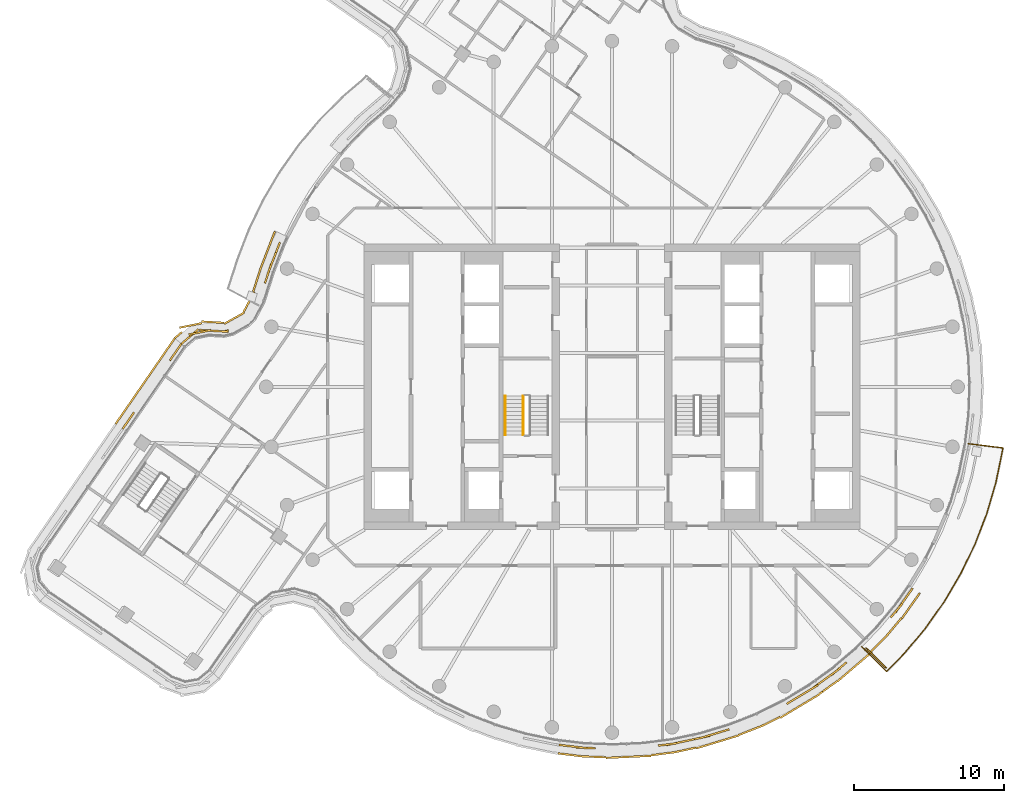
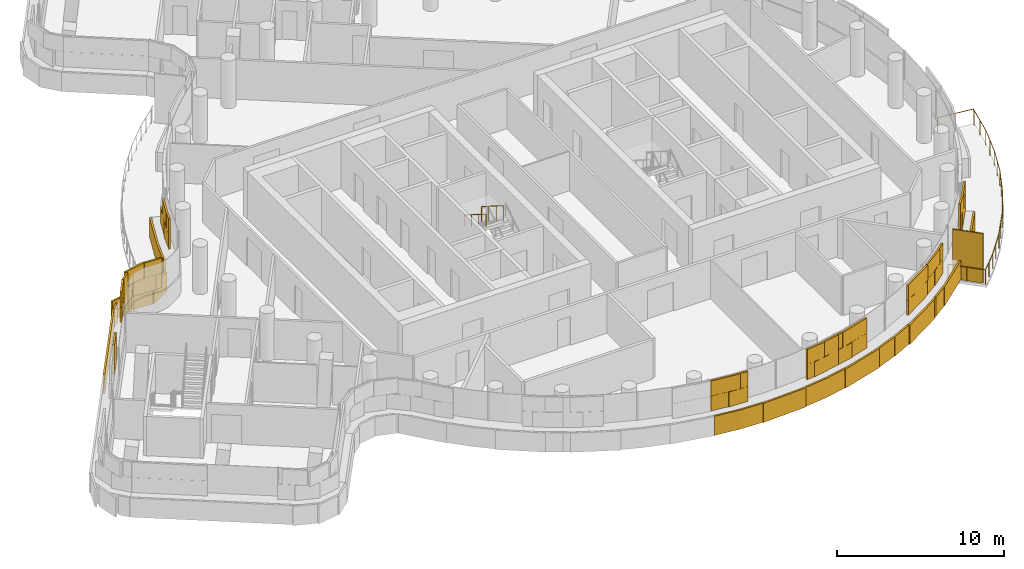
# One storey, part 22 of 26: 5 coverings, 3 railings, 1 shading device.
"""IFC4 building model written with IfcOpenShell, lengths in metres."""

from ifc_helpers import new_model, si_unit, direction, frame, origin, origin_2d, place, context, subcontext, project, spatial, rectangle, circle, extrude, material, layer, layer_set, type_object, element, save


model = new_model("IFC4")

# Units and contexts
model_context = context("Model", 3, precision=1e-05, world=origin(), true_north=direction((0.0, 1.0)))
body_context = subcontext(model_context, "Body", "Model", "MODEL_VIEW")
ifc_project = project(units=[si_unit("LENGTHUNIT", "METRE"), si_unit("AREAUNIT", "SQUARE_METRE"), si_unit("VOLUMEUNIT", "CUBIC_METRE"), si_unit("PLANEANGLEUNIT", "RADIAN"), si_unit("MASSUNIT", "GRAM", prefix="KILO")], contexts=[model_context])

# Site, building, storey
site_placement = place(None, origin())
site = spatial("IfcSite", under=ifc_project, at=site_placement, CompositionType="ELEMENT")
building_placement = place(site_placement, origin())
building = spatial("IfcBuilding", under=site, at=building_placement, Name="Tamarind Cross Interchange Tower", CompositionType="ELEMENT")
storey_placement = place(building_placement, frame((0.0, 0.0, 234.300048828125)))
storey = spatial("IfcBuildingStorey", under=building, at=storey_placement, Name="L59", CompositionType="ELEMENT", Elevation=234.300048828125)

# Railing
ifc_material_1 = material(Name="Stainless steel and laminated glass", Category="steel")
railing_type_1 = type_object("IfcRailingType", Name="Balcony guard", PredefinedType="BALUSTRADE", material=ifc_material_1)
railing_1_placement = place(storey_placement, frame((16.616943359375, -17.292724609375, 0.0)))
element("IfcRailing", 1, at=railing_1_placement, inside=storey, type_object=railing_type_1, Name="Balcony guard 02", PredefinedType="BALUSTRADE", context=body_context, shape_type="SweptSolid", body=[
    extrude(circle(Radius=0.02490234375, at=origin_2d()), frame((0.0, 0.0, 1.0751953125), z_axis=(0.710152123187, -0.704048266764, 0.0), x_axis=(0.704048266764, 0.710152123187, 0.0)), (0.0, 0.0, 1.0), 2.31982421875),
    extrude(circle(Radius=0.02490234375, at=origin_2d()), frame((1.6474609375, -1.63330078125, 1.0751953125), z_axis=(0.704100820642, 0.71010001716, 0.0), x_axis=(-0.71010001716, 0.704100820642, 0.0)), (0.0, 0.0, 1.0), 1.66845703125),
    extrude(circle(Radius=0.02490234375, at=origin_2d()), frame((2.822265625, -0.448486328125, 1.0751953125), z_axis=(0.642984125922, 0.765879503455, 0.0), x_axis=(-0.765879503455, 0.642984125922, 0.0)), (0.0, 0.0, 1.0), 2.17529296875),
    extrude(circle(Radius=0.02490234375, at=origin_2d()), frame((4.220947265625, 1.217529296875, 1.0751953125), z_axis=(0.577590617379, 0.81632657602, 0.0), x_axis=(-0.81632657602, 0.577590617379, 0.0)), (0.0, 0.0, 1.0), 2.175048828125),
    extrude(circle(Radius=0.02490234375, at=origin_2d()), frame((5.477294921875, 2.9931640625, 1.0751953125), z_axis=(0.508226290333, 0.861223570169, 0.0), x_axis=(-0.861223570169, 0.508226290333, 0.0)), (0.0, 0.0, 1.0), 2.175048828125),
    extrude(circle(Radius=0.02490234375, at=origin_2d()), frame((6.582763671875, 4.866455078125, 1.0751953125), z_axis=(0.435276325285, 0.90029690694, 0.0), x_axis=(-0.90029690694, 0.435276325285, 0.0)), (0.0, 0.0, 1.0), 2.175048828125),
    extrude(circle(Radius=0.02490234375, at=origin_2d()), frame((7.529541015625, 6.82470703125, 1.0751953125), z_axis=(0.359497979449, 0.93314586361, 0.0), x_axis=(-0.93314586361, 0.359497979449, 0.0)), (0.0, 0.0, 1.0), 2.17529296875),
    extrude(circle(Radius=0.02490234375, at=origin_2d()), frame((8.3115234375, 8.8544921875, 1.0751953125), z_axis=(0.281266871208, 0.959629588519, 0.0), x_axis=(-0.959629588519, 0.281266871208, 0.0)), (0.0, 0.0, 1.0), 2.17529296875),
    extrude(circle(Radius=0.02490234375, at=origin_2d()), frame((8.92333984375, 10.94189453125, 1.0751953125), z_axis=(0.200905479979, 0.97961063087, 0.0), x_axis=(-0.97961063087, 0.200905479979, 0.0)), (0.0, 0.0, 1.0), 2.17529296875),
    extrude(circle(Radius=0.02490234375, at=origin_2d()), frame((9.3603515625, 13.07275390625, 1.0751953125), z_axis=(0.1196897752, 0.992811340443, 0.0), x_axis=(-0.992811340443, 0.1196897752, 0.0)), (0.0, 0.0, 1.0), 0.1591796875),
    extrude(circle(Radius=0.02490234375, at=origin_2d()), frame((9.37939453125, 13.230712890625, 1.0751953125), z_axis=(-0.992840439423, 0.119448155474, 0.0), x_axis=(-0.119448155474, -0.992840439423, 0.0)), (0.0, 0.0, 1.0), 2.31982421875),
    extrude(circle(Radius=0.02001953125, at=origin_2d()), origin(), (0.0, 0.0, 1.0), 1.050048828125),
    extrude(circle(Radius=0.02001953125, at=origin_2d()), frame((0.82373046875, -0.816650390625, 0.0)), (0.0, 0.0, 1.0), 1.050048828125),
    extrude(circle(Radius=0.02001953125, at=origin_2d()), frame((1.6474609375, -1.63330078125, 0.0)), (0.0, 0.0, 1.0), 1.050048828125),
    extrude(circle(Radius=0.02001953125, at=origin_2d()), frame((2.23486328125, -1.041015625, 0.0)), (0.0, 0.0, 1.0), 1.050048828125),
    extrude(circle(Radius=0.02001953125, at=origin_2d()), frame((2.822265625, -0.448486328125, 0.0)), (0.0, 0.0, 1.0), 1.050048828125),
    extrude(circle(Radius=0.02001953125, at=origin_2d()), frame((3.521484375, 0.384521484375, 0.0)), (0.0, 0.0, 1.0), 1.050048828125),
    extrude(circle(Radius=0.02001953125, at=origin_2d()), frame((4.220947265625, 1.217529296875, 0.0)), (0.0, 0.0, 1.0), 1.050048828125),
    extrude(circle(Radius=0.02001953125, at=origin_2d()), frame((4.84912109375, 2.10546875, 0.0)), (0.0, 0.0, 1.0), 1.050048828125),
    extrude(circle(Radius=0.02001953125, at=origin_2d()), frame((5.477294921875, 2.9931640625, 0.0)), (0.0, 0.0, 1.0), 1.050048828125),
    extrude(circle(Radius=0.02001953125, at=origin_2d()), frame((6.030029296875, 3.9296875, 0.0)), (0.0, 0.0, 1.0), 1.050048828125),
    extrude(circle(Radius=0.02001953125, at=origin_2d()), frame((6.582763671875, 4.866455078125, 0.0)), (0.0, 0.0, 1.0), 1.050048828125),
    extrude(circle(Radius=0.02001953125, at=origin_2d()), frame((7.05615234375, 5.845703125, 0.0)), (0.0, 0.0, 1.0), 1.050048828125),
    extrude(circle(Radius=0.02001953125, at=origin_2d()), frame((7.529541015625, 6.82470703125, 0.0)), (0.0, 0.0, 1.0), 1.050048828125),
    extrude(circle(Radius=0.02001953125, at=origin_2d()), frame((7.92041015625, 7.839599609375, 0.0)), (0.0, 0.0, 1.0), 1.050048828125),
    extrude(circle(Radius=0.02001953125, at=origin_2d()), frame((8.3115234375, 8.8544921875, 0.0)), (0.0, 0.0, 1.0), 1.050048828125),
    extrude(circle(Radius=0.02001953125, at=origin_2d()), frame((8.617431640625, 9.898193359375, 0.0)), (0.0, 0.0, 1.0), 1.050048828125),
    extrude(circle(Radius=0.02001953125, at=origin_2d()), frame((8.92333984375, 10.94189453125, 0.0)), (0.0, 0.0, 1.0), 1.050048828125),
    extrude(circle(Radius=0.02001953125, at=origin_2d()), frame((9.141845703125, 12.00732421875, 0.0)), (0.0, 0.0, 1.0), 1.050048828125),
    extrude(circle(Radius=0.02001953125, at=origin_2d()), frame((9.3603515625, 13.07275390625, 0.0)), (0.0, 0.0, 1.0), 1.050048828125),
    extrude(circle(Radius=0.02001953125, at=origin_2d()), frame((9.37939453125, 13.230712890625, 0.0)), (0.0, 0.0, 1.0), 1.050048828125),
    extrude(circle(Radius=0.02001953125, at=origin_2d()), frame((8.227783203125, 13.369140625, 0.0)), (0.0, 0.0, 1.0), 1.050048828125),
    extrude(circle(Radius=0.02001953125, at=origin_2d()), frame((7.076171875, 13.5078125, 0.0)), (0.0, 0.0, 1.0), 1.050048828125),
])

# Shading device
ifc_material_2 = material(Name="Bronze-finish aluminium louvre", Category="aluminium")
ifc_layer_1 = layer(ifc_material_2, 0.080078125)
ifc_layer_set_1 = layer_set([ifc_layer_1], Name="Bronze-finish aluminium louvre")
shading_device_type = type_object("IfcShadingDeviceType", Name="Operable louvre bay", PredefinedType="JALOUSIE", material=ifc_layer_set_1)
shading_device_placement = place(storey_placement, origin())
element("IfcShadingDevice", 2, at=shading_device_placement, inside=storey, type_object=shading_device_type, Name="LVR-L59-BAL02", PredefinedType="JALOUSIE", context=body_context, shape_type="SweptSolid", body=[
    extrude(rectangle(XDim=1.89990234375, YDim=0.080078125, at=origin_2d()), frame((17.567626953125, -18.0380859375, 0.0), z_axis=(0.0, 0.0, 1.0), x_axis=(0.710143317658, -0.704057148523, 0.0)), (0.0, 0.0, 1.0), 3.60009765625),
])

# Railings
ifc_material_3 = material(Name="Stair guard")
railing_type_2 = type_object("IfcRailingType", Name="Stair guard", PredefinedType="GUARDRAIL", material=ifc_material_3)
railing_2_placement = place(storey_placement, frame((-5.89990234375, -0.60009765625, 1.963623046875)))
element("IfcRailing", 3, at=railing_2_placement, inside=storey, type_object=railing_type_2, Name="L59 ST1 stair guard 3", PredefinedType="GUARDRAIL", context=body_context, shape_type="SweptSolid", body=[
    extrude(circle(Radius=0.02392578125, at=origin_2d()), frame((0.0, 0.0, 1.076171875), z_axis=(0.0, -0.846337672412, 0.532646734952), x_axis=(1.0, 0.0, 0.0)), (0.0, 0.0, 1.0), 3.07177734375),
    extrude(circle(Radius=0.02099609375, at=origin_2d()), origin(), (0.0, 0.0, 1.0), 1.052001953125),
    extrude(circle(Radius=0.02099609375, at=origin_2d()), frame((0.0, -0.86669921875, 0.54541015625)), (0.0, 0.0, 1.0), 1.052001953125),
    extrude(circle(Radius=0.02099609375, at=origin_2d()), frame((0.0, -1.733154296875, 1.0908203125)), (0.0, 0.0, 1.0), 1.052001953125),
    extrude(circle(Radius=0.02099609375, at=origin_2d()), frame((0.0, -2.599853515625, 1.63623046875)), (0.0, 0.0, 1.0), 1.052001953125),
])
ifc_material_4 = material(Name="Stair handrail")
railing_type_3 = type_object("IfcRailingType", Name="Stair handrail", PredefinedType="HANDRAIL", material=ifc_material_4)
railing_3_placement = place(storey_placement, frame((-7.10009765625, -0.60009765625, 1.963623046875)))
element("IfcRailing", 4, at=railing_3_placement, inside=storey, type_object=railing_type_3, Name="L59 ST1 stair handrail 2", PredefinedType="HANDRAIL", context=body_context, shape_type="SweptSolid", body=[
    extrude(circle(Radius=0.02392578125, at=origin_2d()), frame((0.0, 0.0, 0.8759765625), z_axis=(0.0, -0.846337672412, 0.532646734952), x_axis=(1.0, 0.0, 0.0)), (0.0, 0.0, 1.0), 3.07177734375),
    extrude(circle(Radius=0.02099609375, at=origin_2d()), origin(), (0.0, 0.0, 1.0), 0.851806640625),
    extrude(circle(Radius=0.02099609375, at=origin_2d()), frame((0.0, -0.86669921875, 0.54541015625)), (0.0, 0.0, 1.0), 0.851806640625),
    extrude(circle(Radius=0.02099609375, at=origin_2d()), frame((0.0, -1.733154296875, 1.0908203125)), (0.0, 0.0, 1.0), 0.851806640625),
    extrude(circle(Radius=0.02099609375, at=origin_2d()), frame((0.0, -2.599853515625, 1.63623046875)), (0.0, 0.0, 1.0), 0.851806640625),
])

# Coverings
ifc_material_5 = material(Name="Terracotta", Category="masonry")
ifc_layer_2 = layer(ifc_material_5, 0.1201171875)
ifc_layer_set_2 = layer_set([ifc_layer_2], Name="Terracotta")
covering_type = type_object("IfcCoveringType", Name="Terracotta baguette screen unit", PredefinedType="MOLDING", material=ifc_layer_set_2)
covering_1_placement = place(storey_placement, origin())
element("IfcCovering", 5, at=covering_1_placement, inside=storey, type_object=covering_type, Name="SCR-L59-02-02", PredefinedType="MOLDING", context=body_context, shape_type="SweptSolid", body=[
    extrude(rectangle(XDim=1.159912109375, YDim=0.1201171875, at=origin_2d()), frame((-2.942138671875, -23.885009765625, 1.40380859375), z_axis=(0.0, 0.0, 1.0), x_axis=(0.992843710523, -0.119420963295, 0.0)), (0.0, 0.0, 1.0), 1.092041015625),
    extrude(rectangle(XDim=1.28173828125, YDim=0.1201171875, at=origin_2d()), frame((-1.739013671875, -24.017578125, 1.40380859375), z_axis=(0.0, 0.0, 1.0), x_axis=(0.999314350871, -0.037024696392, 0.0)), (0.0, 0.0, 1.0), 1.092041015625),
    extrude(rectangle(XDim=0.5380859375, YDim=0.1201171875, at=origin_2d()), frame((3.347412109375, -23.8330078125, 1.40380859375), z_axis=(0.0, 0.0, 1.0), x_axis=(0.991779070368, 0.127962008342, 0.0)), (0.0, 0.0, 1.0), 1.092041015625),
    extrude(rectangle(XDim=1.52001953125, YDim=0.1201171875, at=origin_2d()), frame((4.34912109375, -23.6796875, 1.40380859375), z_axis=(0.0, 0.0, 1.0), x_axis=(0.977824623121, 0.209425419705, 0.0)), (0.0, 0.0, 1.0), 1.092041015625),
    extrude(rectangle(XDim=0.403564453125, YDim=0.1201171875, at=origin_2d()), frame((5.27490234375, -23.4814453125, 1.40380859375), z_axis=(0.0, 0.0, 1.0), x_axis=(0.977824623121, 0.209425419705, 0.0)), (0.0, 0.0, 1.0), 1.092041015625),
    extrude(rectangle(XDim=0.409912109375, YDim=0.1201171875, at=origin_2d()), frame((-3.314453125, -23.84033203125, 2.50390625), z_axis=(0.0, 0.0, 1.0), x_axis=(0.992843710523, -0.119420963295, 0.0)), (0.0, 0.0, 1.0), 1.092041015625),
    extrude(rectangle(XDim=1.52001953125, YDim=0.1201171875, at=origin_2d()), frame((-2.371337890625, -23.95361328125, 2.50390625), z_axis=(0.0, 0.0, 1.0), x_axis=(0.992843710523, -0.119420963295, 0.0)), (0.0, 0.0, 1.0), 1.092041015625),
    extrude(rectangle(XDim=0.53173828125, YDim=0.1201171875, at=origin_2d()), frame((-1.3642578125, -24.031494140625, 2.50390625), z_axis=(0.0, 0.0, 1.0), x_axis=(0.999314350871, -0.037024696392, 0.0)), (0.0, 0.0, 1.0), 1.092041015625),
    extrude(rectangle(XDim=1.2880859375, YDim=0.1201171875, at=origin_2d()), frame((3.71923828125, -23.78515625, 2.50390625), z_axis=(0.0, 0.0, 1.0), x_axis=(0.991779070368, 0.127962008342, 0.0)), (0.0, 0.0, 1.0), 1.092041015625),
    extrude(rectangle(XDim=1.153564453125, YDim=0.1201171875, at=origin_2d()), frame((4.908203125, -23.56005859375, 2.50390625), z_axis=(0.0, 0.0, 1.0), x_axis=(0.977824623121, 0.209425419705, 0.0)), (0.0, 0.0, 1.0), 1.092041015625),
    extrude(rectangle(XDim=0.2236328125, YDim=0.1201171875, at=origin_2d()), frame((-3.485595703125, -24.397705078125, 0.00390625), z_axis=(0.0, 0.0, 1.0), x_axis=(0.992843710523, -0.119420963295, 0.0)), (0.0, 0.0, 1.0), 1.39208984375),
    extrude(rectangle(XDim=1.52001953125, YDim=0.1201171875, at=origin_2d()), frame((-2.639892578125, -24.49951171875, 0.00390625), z_axis=(0.0, 0.0, 1.0), x_axis=(0.992843710523, -0.119420963295, 0.0)), (0.0, 0.0, 1.0), 1.39208984375),
    extrude(rectangle(XDim=1.52001953125, YDim=0.1201171875, at=origin_2d()), frame((-1.1455078125, -24.614013671875, 0.00390625), z_axis=(0.0, 0.0, 1.0), x_axis=(0.999314350871, -0.037024696392, 0.0)), (0.0, 0.0, 1.0), 1.39208984375),
    extrude(rectangle(XDim=1.52001953125, YDim=0.1201171875, at=origin_2d()), frame((0.353515625, -24.64892578125, 0.00390625), z_axis=(0.0, 0.0, 1.0), x_axis=(0.998958660912, 0.045624486728, 0.0)), (0.0, 0.0, 1.0), 1.39208984375),
    extrude(rectangle(XDim=1.52001953125, YDim=0.1201171875, at=origin_2d()), frame((1.851806640625, -24.58056640625, 0.00390625), z_axis=(0.0, 0.0, 1.0), x_axis=(0.998958660912, 0.045624486728, 0.0)), (0.0, 0.0, 1.0), 1.39208984375),
    extrude(rectangle(XDim=1.52001953125, YDim=0.1201171875, at=origin_2d()), frame((3.341552734375, -24.41259765625, 0.00390625), z_axis=(0.0, 0.0, 1.0), x_axis=(0.991779070368, 0.127962008342, 0.0)), (0.0, 0.0, 1.0), 1.39208984375),
    extrude(rectangle(XDim=1.52001953125, YDim=0.1201171875, at=origin_2d()), frame((4.820068359375, -24.166015625, 0.00390625), z_axis=(0.0, 0.0, 1.0), x_axis=(0.977824623121, 0.209425419705, 0.0)), (0.0, 0.0, 1.0), 1.39208984375),
    extrude(rectangle(XDim=0.05517578125, YDim=0.1201171875, at=origin_2d()), frame((5.570556640625, -24.005126953125, 0.00390625), z_axis=(0.0, 0.0, 1.0), x_axis=(0.977824623121, 0.209425419705, 0.0)), (0.0, 0.0, 1.0), 1.39208984375),
])
covering_2_placement = place(storey_placement, origin())
element("IfcCovering", 6, at=covering_2_placement, inside=storey, type_object=covering_type, Name="SCR-L59-02-03", PredefinedType="MOLDING", context=body_context, shape_type="SweptSolid", body=[
    extrude(rectangle(XDim=1.116455078125, YDim=0.1201171875, at=origin_2d()), frame((6.008056640625, -23.324462890625, 1.40380859375), z_axis=(0.0, 0.0, 1.0), x_axis=(0.977824623121, 0.209425419705, 0.0)), (0.0, 0.0, 1.0), 1.092041015625),
    extrude(rectangle(XDim=1.32470703125, YDim=0.1201171875, at=origin_2d()), frame((7.1669921875, -22.974365234375, 1.40380859375), z_axis=(0.0, 0.0, 1.0), x_axis=(0.957190642199, 0.289458243079, 0.0)), (0.0, 0.0, 1.0), 1.092041015625),
    extrude(rectangle(XDim=0.4951171875, YDim=0.1201171875, at=origin_2d()), frame((11.84033203125, -20.961669921875, 1.40380859375), z_axis=(0.0, 0.0, 1.0), x_axis=(0.856843065292, 0.515577308909, 0.0)), (0.0, 0.0, 1.0), 1.092041015625),
    extrude(rectangle(XDim=1.52001953125, YDim=0.1201171875, at=origin_2d()), frame((12.69091796875, -20.449951171875, 1.40380859375), z_axis=(0.0, 0.0, 1.0), x_axis=(0.856843065292, 0.515577308909, 0.0)), (0.0, 0.0, 1.0), 1.092041015625),
    extrude(rectangle(XDim=0.446044921875, YDim=0.1201171875, at=origin_2d()), frame((13.506591796875, -19.929931640625, 1.40380859375), z_axis=(0.0, 0.0, 1.0), x_axis=(0.811340475102, 0.584573890505, 0.0)), (0.0, 0.0, 1.0), 1.092041015625),
    extrude(rectangle(XDim=0.366455078125, YDim=0.1201171875, at=origin_2d()), frame((5.6416015625, -23.40283203125, 2.50390625), z_axis=(0.0, 0.0, 1.0), x_axis=(0.977824623121, 0.209425419705, 0.0)), (0.0, 0.0, 1.0), 1.092041015625),
    extrude(rectangle(XDim=1.52001953125, YDim=0.1201171875, at=origin_2d()), frame((6.537841796875, -23.164794921875, 2.50390625), z_axis=(0.0, 0.0, 1.0), x_axis=(0.957190642199, 0.289458243079, 0.0)), (0.0, 0.0, 1.0), 1.092041015625),
    extrude(rectangle(XDim=0.57470703125, YDim=0.1201171875, at=origin_2d()), frame((7.526123046875, -22.865966796875, 2.50390625), z_axis=(0.0, 0.0, 1.0), x_axis=(0.957190642199, 0.289458243079, 0.0)), (0.0, 0.0, 1.0), 1.092041015625),
    extrude(rectangle(XDim=1.2451171875, YDim=0.1201171875, at=origin_2d()), frame((12.16162109375, -20.768310546875, 2.50390625), z_axis=(0.0, 0.0, 1.0), x_axis=(0.856843065292, 0.515577308909, 0.0)), (0.0, 0.0, 1.0), 1.092041015625),
    extrude(rectangle(XDim=1.196044921875, YDim=0.1201171875, at=origin_2d()), frame((13.198974609375, -20.14404296875, 2.50390625), z_axis=(0.0, 0.0, 1.0), x_axis=(0.856843065292, 0.515577308909, 0.0)), (0.0, 0.0, 1.0), 1.092041015625),
    extrude(rectangle(XDim=1.464599609375, YDim=0.1201171875, at=origin_2d()), frame((6.310302734375, -23.833251953125, 0.00390625), z_axis=(0.0, 0.0, 1.0), x_axis=(0.957190642199, 0.289458243079, 0.0)), (0.0, 0.0, 1.0), 1.39208984375),
    extrude(rectangle(XDim=1.52001953125, YDim=0.1201171875, at=origin_2d()), frame((7.7197265625, -23.406982421875, 0.00390625), z_axis=(0.0, 0.0, 1.0), x_axis=(0.957190642199, 0.289458243079, 0.0)), (0.0, 0.0, 1.0), 1.39208984375),
    extrude(rectangle(XDim=1.52001953125, YDim=0.1201171875, at=origin_2d()), frame((9.125732421875, -22.88720703125, 0.00390625), z_axis=(0.0, 0.0, 1.0), x_axis=(0.930018078613, 0.367513773146, 0.0)), (0.0, 0.0, 1.0), 1.39208984375),
    extrude(rectangle(XDim=1.52001953125, YDim=0.1201171875, at=origin_2d()), frame((10.502197265625, -22.2939453125, 0.00390625), z_axis=(0.0, 0.0, 1.0), x_axis=(0.896492548518, 0.443058811505, 0.0)), (0.0, 0.0, 1.0), 1.39208984375),
    extrude(rectangle(XDim=1.52001953125, YDim=0.1201171875, at=origin_2d()), frame((11.84619140625, -21.628173828125, 0.00390625), z_axis=(0.0, 0.0, 1.0), x_axis=(0.856843065292, 0.515577308909, 0.0)), (0.0, 0.0, 1.0), 1.39208984375),
    extrude(rectangle(XDim=1.52001953125, YDim=0.1201171875, at=origin_2d()), frame((13.13134765625, -20.854736328125, 0.00390625), z_axis=(0.0, 0.0, 1.0), x_axis=(0.856843065292, 0.515577308909, 0.0)), (0.0, 0.0, 1.0), 1.39208984375),
    extrude(rectangle(XDim=0.3134765625, YDim=0.1201171875, at=origin_2d()), frame((13.882568359375, -20.3662109375, 0.00390625), z_axis=(0.0, 0.0, 1.0), x_axis=(0.811340475102, 0.584573890505, 0.0)), (0.0, 0.0, 1.0), 1.39208984375),
])
covering_3_placement = place(storey_placement, origin())
element("IfcCovering", 7, at=covering_3_placement, inside=storey, type_object=covering_type, Name="SCR-L59-02-04", PredefinedType="MOLDING", context=body_context, shape_type="SweptSolid", body=[
    extrude(rectangle(XDim=1.073974609375, YDim=0.1201171875, at=origin_2d()), frame((14.114990234375, -19.491455078125, 1.40380859375), z_axis=(0.0, 0.0, 1.0), x_axis=(0.811340475102, 0.584573890505, 0.0)), (0.0, 0.0, 1.0), 1.092041015625),
    extrude(rectangle(XDim=1.36767578125, YDim=0.1201171875, at=origin_2d()), frame((15.08349609375, -18.765869140625, 1.40380859375), z_axis=(0.0, 0.0, 1.0), x_axis=(0.760295606781, 0.64957723968, 0.0)), (0.0, 0.0, 1.0), 1.092041015625),
    extrude(rectangle(XDim=0.4521484375, YDim=0.1201171875, at=origin_2d()), frame((18.685791015625, -15.17041015625, 1.40380859375), z_axis=(0.0, 0.0, 1.0), x_axis=(0.643009266048, 0.765858396687, 0.0)), (0.0, 0.0, 1.0), 1.092041015625),
    extrude(rectangle(XDim=1.52001953125, YDim=0.1201171875, at=origin_2d()), frame((19.285888671875, -14.407958984375, 1.40380859375), z_axis=(0.0, 0.0, 1.0), x_axis=(0.577568978284, 0.816341886298, 0.0)), (0.0, 0.0, 1.0), 1.092041015625),
    extrude(rectangle(XDim=0.489501953125, YDim=0.1201171875, at=origin_2d()), frame((19.857421875, -13.60009765625, 1.40380859375), z_axis=(0.0, 0.0, 1.0), x_axis=(0.577568978284, 0.816341886298, 0.0)), (0.0, 0.0, 1.0), 1.092041015625),
    extrude(rectangle(XDim=0.323974609375, YDim=0.1201171875, at=origin_2d()), frame((13.810791015625, -19.710693359375, 2.50390625), z_axis=(0.0, 0.0, 1.0), x_axis=(0.811340475102, 0.584573890505, 0.0)), (0.0, 0.0, 1.0), 1.092041015625),
    extrude(rectangle(XDim=1.52001953125, YDim=0.1201171875, at=origin_2d()), frame((14.546630859375, -19.180419921875, 2.50390625), z_axis=(0.0, 0.0, 1.0), x_axis=(0.811340475102, 0.584573890505, 0.0)), (0.0, 0.0, 1.0), 1.092041015625),
    extrude(rectangle(XDim=0.61767578125, YDim=0.1201171875, at=origin_2d()), frame((15.36865234375, -18.522216796875, 2.50390625), z_axis=(0.0, 0.0, 1.0), x_axis=(0.760295606781, 0.64957723968, 0.0)), (0.0, 0.0, 1.0), 1.092041015625),
    extrude(rectangle(XDim=1.2021484375, YDim=0.1201171875, at=origin_2d()), frame((18.927001953125, -14.88330078125, 2.50390625), z_axis=(0.0, 0.0, 1.0), x_axis=(0.643009266048, 0.765858396687, 0.0)), (0.0, 0.0, 1.0), 1.092041015625),
    extrude(rectangle(XDim=1.239501953125, YDim=0.1201171875, at=origin_2d()), frame((19.640869140625, -13.90625, 2.50390625), z_axis=(0.0, 0.0, 1.0), x_axis=(0.577568978284, 0.816341886298, 0.0)), (0.0, 0.0, 1.0), 1.092041015625),
    extrude(rectangle(XDim=1.206298828125, YDim=0.1201171875, at=origin_2d()), frame((14.499267578125, -19.922119140625, 0.00390625), z_axis=(0.0, 0.0, 1.0), x_axis=(0.811340475102, 0.584573890505, 0.0)), (0.0, 0.0, 1.0), 1.39208984375),
    extrude(rectangle(XDim=1.52001953125, YDim=0.1201171875, at=origin_2d()), frame((15.56640625, -19.108154296875, 0.00390625), z_axis=(0.0, 0.0, 1.0), x_axis=(0.760295606781, 0.64957723968, 0.0)), (0.0, 0.0, 1.0), 1.39208984375),
    extrude(rectangle(XDim=1.52001953125, YDim=0.1201171875, at=origin_2d()), frame((16.70703125, -18.1337890625, 0.00390625), z_axis=(0.0, 0.0, 1.0), x_axis=(0.760295606781, 0.64957723968, 0.0)), (0.0, 0.0, 1.0), 1.39208984375),
    extrude(rectangle(XDim=1.52001953125, YDim=0.1201171875, at=origin_2d()), frame((17.7685546875, -17.07421875, 0.00390625), z_axis=(0.0, 0.0, 1.0), x_axis=(0.704057148523, 0.710143317658, 0.0)), (0.0, 0.0, 1.0), 1.39208984375),
    extrude(rectangle(XDim=1.52001953125, YDim=0.1201171875, at=origin_2d()), frame((18.771728515625, -15.9609375, 0.00390625), z_axis=(0.0, 0.0, 1.0), x_axis=(0.643009266048, 0.765858396687, 0.0)), (0.0, 0.0, 1.0), 1.39208984375),
    extrude(rectangle(XDim=1.52001953125, YDim=0.1201171875, at=origin_2d()), frame((19.71484375, -14.795654296875, 0.00390625), z_axis=(0.0, 0.0, 1.0), x_axis=(0.577568978284, 0.816341886298, 0.0)), (0.0, 0.0, 1.0), 1.39208984375),
    extrude(rectangle(XDim=0.572509765625, YDim=0.1201171875, at=origin_2d()), frame((20.3076171875, -13.957763671875, 0.00390625), z_axis=(0.0, 0.0, 1.0), x_axis=(0.577568978284, 0.816341886298, 0.0)), (0.0, 0.0, 1.0), 1.39208984375),
])
covering_4_placement = place(storey_placement, origin())
element("IfcCovering", 8, at=covering_4_placement, inside=storey, type_object=covering_type, Name="SCR-L59-06-01", PredefinedType="MOLDING", context=body_context, shape_type="SweptSolid", body=[
    extrude(rectangle(XDim=1.52001953125, YDim=0.1201171875, at=origin_2d()), frame((-22.35888671875, 8.90478515625, 1.40380859375), z_axis=(0.0, 0.0, 1.0), x_axis=(-0.359495435512, -0.933146843667, 0.0)), (0.0, 0.0, 1.0), 1.092041015625),
    extrude(rectangle(XDim=1.398681640625, YDim=0.1201171875, at=origin_2d()), frame((-22.86865234375, 7.5537109375, 1.40380859375), z_axis=(0.0, 0.0, 1.0), x_axis=(-0.305955207964, -0.952045907885, 0.0)), (0.0, 0.0, 1.0), 1.092041015625),
    extrude(rectangle(XDim=0.42138671875, YDim=0.1201171875, at=origin_2d()), frame((-25.716796875, 3.707275390625, 1.40380859375), z_axis=(0.0, 0.0, 1.0), x_axis=(-0.974492030957, -0.224422105864, 0.0)), (0.0, 0.0, 1.0), 1.092041015625),
    extrude(rectangle(XDim=1.52001953125, YDim=0.1201171875, at=origin_2d()), frame((-26.668212890625, 3.731689453125, 1.40380859375), z_axis=(0.0, 0.0, 1.0), x_axis=(-0.998313210787, 0.058058015546, 0.0)), (0.0, 0.0, 1.0), 1.092041015625),
    extrude(rectangle(XDim=1.52001953125, YDim=0.1201171875, at=origin_2d()), frame((-28.076171875, 3.34228515625, 1.40380859375), z_axis=(0.0, 0.0, 1.0), x_axis=(-0.758148991876, -0.652081364645, 0.0)), (0.0, 0.0, 1.0), 1.092041015625),
    extrude(rectangle(XDim=1.52001953125, YDim=0.1201171875, at=origin_2d()), frame((-22.628662109375, 8.205078125, 2.50390625), z_axis=(0.0, 0.0, 1.0), x_axis=(-0.359495435512, -0.933146843667, 0.0)), (0.0, 0.0, 1.0), 1.092041015625),
    extrude(rectangle(XDim=0.648681640625, YDim=0.1201171875, at=origin_2d()), frame((-22.9833984375, 7.19677734375, 2.50390625), z_axis=(0.0, 0.0, 1.0), x_axis=(-0.305955207964, -0.952045907885, 0.0)), (0.0, 0.0, 1.0), 1.092041015625),
    extrude(rectangle(XDim=1.17138671875, YDim=0.1201171875, at=origin_2d()), frame((-26.08837890625, 3.697998046875, 2.50390625), z_axis=(0.0, 0.0, 1.0), x_axis=(-0.998313210787, 0.058058015546, 0.0)), (0.0, 0.0, 1.0), 1.092041015625),
    extrude(rectangle(XDim=1.52001953125, YDim=0.1201171875, at=origin_2d()), frame((-27.40625, 3.6240234375, 2.50390625), z_axis=(0.0, 0.0, 1.0), x_axis=(-0.980452436371, -0.196756245172, 0.0)), (0.0, 0.0, 1.0), 1.092041015625),
    extrude(rectangle(XDim=0.763671875, YDim=0.1201171875, at=origin_2d()), frame((-28.36181640625, 3.096435546875, 2.50390625), z_axis=(0.0, 0.0, 1.0), x_axis=(-0.758148991876, -0.652081364645, 0.0)), (0.0, 0.0, 1.0), 1.092041015625),
    extrude(rectangle(XDim=1.264404296875, YDim=0.1201171875, at=origin_2d()), frame((-22.649658203125, 9.746826171875, 0.00390625), z_axis=(0.0, 0.0, 1.0), x_axis=(-0.359495435512, -0.933146843667, 0.0)), (0.0, 0.0, 1.0), 1.39208984375),
    extrude(rectangle(XDim=1.52001953125, YDim=0.1201171875, at=origin_2d()), frame((-23.14306640625, 8.46630859375, 0.00390625), z_axis=(0.0, 0.0, 1.0), x_axis=(-0.359495435512, -0.933146843667, 0.0)), (0.0, 0.0, 1.0), 1.39208984375),
    extrude(rectangle(XDim=1.52001953125, YDim=0.1201171875, at=origin_2d()), frame((-23.633544921875, 7.049560546875, 0.00390625), z_axis=(0.0, 0.0, 1.0), x_axis=(-0.305955207964, -0.952045907885, 0.0)), (0.0, 0.0, 1.0), 1.39208984375),
    extrude(rectangle(XDim=1.52001953125, YDim=0.1201171875, at=origin_2d()), frame((-24.14794921875, 5.644775390625, 0.00390625), z_axis=(0.0, 0.0, 1.0), x_axis=(-0.471617670909, -0.881803137036, 0.0)), (0.0, 0.0, 1.0), 1.39208984375),
    extrude(rectangle(XDim=1.52001953125, YDim=0.1201171875, at=origin_2d()), frame((-25.123291015625, 4.564697265625, 0.00390625), z_axis=(0.0, 0.0, 1.0), x_axis=(-0.872358266873, -0.488867113047, 0.0)), (0.0, 0.0, 1.0), 1.39208984375),
    extrude(rectangle(XDim=1.52001953125, YDim=0.1201171875, at=origin_2d()), frame((-26.554443359375, 4.300048828125, 0.00390625), z_axis=(0.0, 0.0, 1.0), x_axis=(-0.998313210787, 0.058058015546, 0.0)), (0.0, 0.0, 1.0), 1.39208984375),
    extrude(rectangle(XDim=1.52001953125, YDim=0.1201171875, at=origin_2d()), frame((-28.03076171875, 4.084228515625, 0.00390625), z_axis=(0.0, 0.0, 1.0), x_axis=(-0.980452436371, -0.196756245172, 0.0)), (0.0, 0.0, 1.0), 1.39208984375),
    extrude(rectangle(XDim=0.616455078125, YDim=0.1201171875, at=origin_2d()), frame((-28.84423828125, 3.438720703125, 0.00390625), z_axis=(0.0, 0.0, 1.0), x_axis=(-0.758148991876, -0.652081364645, 0.0)), (0.0, 0.0, 1.0), 1.39208984375),
])
covering_5_placement = place(storey_placement, origin())
element("IfcCovering", 9, at=covering_5_placement, inside=storey, type_object=covering_type, Name="SCR-L59-07-00", PredefinedType="MOLDING", context=body_context, shape_type="SweptSolid", body=[
    extrude(rectangle(XDim=0.760009765625, YDim=0.1201171875, at=origin_2d()), frame((-28.860595703125, 2.542236328125, 1.40380859375), z_axis=(0.0, 0.0, 1.0), x_axis=(-0.56821146922, -0.822882571359, 0.0)), (0.0, 0.0, 1.0), 1.092041015625),
    extrude(rectangle(XDim=0.59326171875, YDim=0.1201171875, at=origin_2d()), frame((-29.239501953125, 1.99365234375, 1.40380859375), z_axis=(0.0, 0.0, 1.0), x_axis=(-0.56821146922, -0.822882571359, 0.0)), (0.0, 0.0, 1.0), 1.092041015625),
    extrude(rectangle(XDim=1.226806640625, YDim=0.1201171875, at=origin_2d()), frame((-32.13720703125, -2.203125, 1.40380859375), z_axis=(0.0, 0.0, 1.0), x_axis=(-0.56821146922, -0.822882571359, 0.0)), (0.0, 0.0, 1.0), 1.092041015625),
    extrude(rectangle(XDim=0.12646484375, YDim=0.1201171875, at=origin_2d()), frame((-32.51611328125, -2.751708984375, 1.40380859375), z_axis=(0.0, 0.0, 1.0), x_axis=(-0.56821146922, -0.822882571359, 0.0)), (0.0, 0.0, 1.0), 1.092041015625),
    extrude(rectangle(XDim=1.333251953125, YDim=0.1201171875, at=origin_2d()), frame((-29.0263671875, 2.30224609375, 2.50390625), z_axis=(0.0, 0.0, 1.0), x_axis=(-0.56821146922, -0.822882571359, 0.0)), (0.0, 0.0, 1.0), 1.092041015625),
    extrude(rectangle(XDim=0.476806640625, YDim=0.1201171875, at=origin_2d()), frame((-31.92431640625, -1.89453125, 2.50390625), z_axis=(0.0, 0.0, 1.0), x_axis=(-0.56821146922, -0.822882571359, 0.0)), (0.0, 0.0, 1.0), 1.092041015625),
    extrude(rectangle(XDim=0.87646484375, YDim=0.1201171875, at=origin_2d()), frame((-32.302978515625, -2.443115234375, 2.50390625), z_axis=(0.0, 0.0, 1.0), x_axis=(-0.56821146922, -0.822882571359, 0.0)), (0.0, 0.0, 1.0), 1.092041015625),
    extrude(rectangle(XDim=0.760009765625, YDim=0.1201171875, at=origin_2d()), frame((-29.293701171875, 2.925048828125, 0.00390625), z_axis=(0.0, 0.0, 1.0), x_axis=(-0.56821146922, -0.822882571359, 0.0)), (0.0, 0.0, 1.0), 1.39208984375),
    extrude(rectangle(XDim=1.52001953125, YDim=0.1201171875, at=origin_2d()), frame((-29.93017578125, 2.00341796875, 0.00390625), z_axis=(0.0, 0.0, 1.0), x_axis=(-0.56821146922, -0.822882571359, 0.0)), (0.0, 0.0, 1.0), 1.39208984375),
    extrude(rectangle(XDim=1.52001953125, YDim=0.1201171875, at=origin_2d()), frame((-30.782470703125, 0.76904296875, 0.00390625), z_axis=(0.0, 0.0, 1.0), x_axis=(-0.56821146922, -0.822882571359, 0.0)), (0.0, 0.0, 1.0), 1.39208984375),
    extrude(rectangle(XDim=1.52001953125, YDim=0.1201171875, at=origin_2d()), frame((-31.634765625, -0.465087890625, 0.00390625), z_axis=(0.0, 0.0, 1.0), x_axis=(-0.56821146922, -0.822882571359, 0.0)), (0.0, 0.0, 1.0), 1.39208984375),
    extrude(rectangle(XDim=1.52001953125, YDim=0.1201171875, at=origin_2d()), frame((-32.487060546875, -1.699462890625, 0.00390625), z_axis=(0.0, 0.0, 1.0), x_axis=(-0.56821146922, -0.822882571359, 0.0)), (0.0, 0.0, 1.0), 1.39208984375),
    extrude(rectangle(XDim=0.187744140625, YDim=0.1201171875, at=origin_2d()), frame((-32.9609375, -2.3857421875, 0.00390625), z_axis=(0.0, 0.0, 1.0), x_axis=(-0.56821146922, -0.822882571359, 0.0)), (0.0, 0.0, 1.0), 1.39208984375),
])

save(model, "model.ifc")
